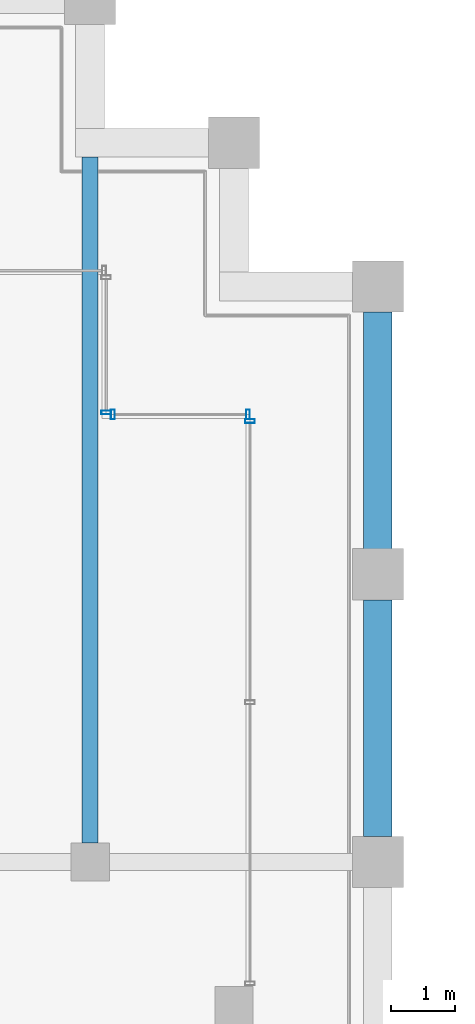
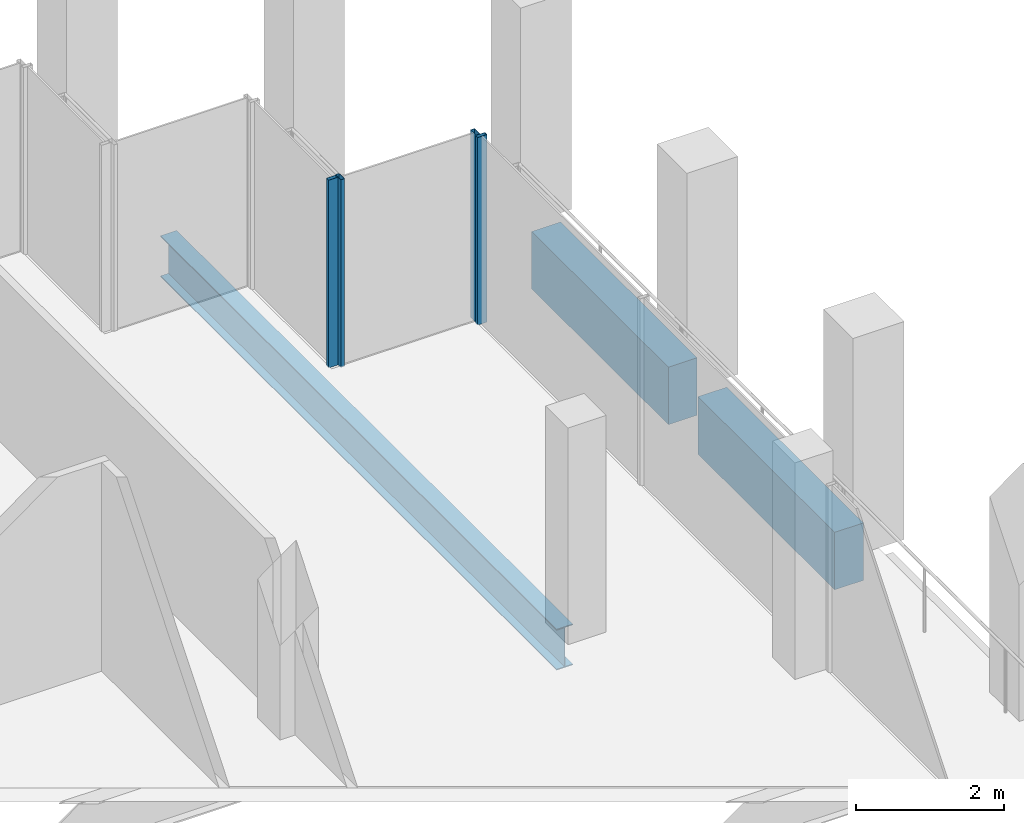
# One storey, part 25 of 40: 4 members, 3 beams, 3 elements without a shape of their own.
"""IFC4 building model written with IfcOpenShell, lengths in metres."""

from ifc_helpers import new_model, si_unit, direction, frame, origin, origin_2d, place, context, subcontext, project, spatial, rectangle, hollow_rectangle, i_section, extrude, material, material_profile, profile_set, type_object, element, aggregate, save


model = new_model("IFC4")

# Units and contexts
model_context = context("Model", 3, precision=1e-05, world=origin(), true_north=direction((0.0, 1.0)))
body_context = subcontext(model_context, "Body", "Model", "MODEL_VIEW")
ifc_project = project(units=[si_unit("LENGTHUNIT", "METRE"), si_unit("AREAUNIT", "SQUARE_METRE"), si_unit("VOLUMEUNIT", "CUBIC_METRE"), si_unit("PLANEANGLEUNIT", "RADIAN"), si_unit("MASSUNIT", "GRAM", prefix="KILO")], contexts=[model_context])

# Site, building, storey
site_placement = place(None, origin())
site = spatial("IfcSite", under=ifc_project, at=site_placement, CompositionType="ELEMENT")
building_placement = place(site_placement, origin())
building = spatial("IfcBuilding", under=site, at=building_placement, Name="Altepetl Exchange Towers", CompositionType="ELEMENT")
storey_placement = place(building_placement, frame((0.0, 0.0, 199.199951171875)))
storey = spatial("IfcBuildingStorey", under=building, at=storey_placement, Name="L50", CompositionType="ELEMENT", Elevation=199.199951171875)

# Beam
ifc_material_1 = material(Name="Steel S355", Category="steel")
ifc_material_profile_1 = material_profile(ifc_material_1, i_section(OverallWidth=0.2529296875, OverallDepth=0.677978515625, WebThickness=0.01171875, FlangeThickness=0.016357421875, at=origin_2d()), Name="W27X84")
ifc_profile_set_1 = profile_set([ifc_material_profile_1], Name="Steel S355")
beam_type_1 = type_object("IfcBeamType", Name="Floor beam W27X84", PredefinedType="BEAM", material=ifc_profile_set_1)
beam_placement = place(storey_placement, frame((67.5, 58.800048828125, -0.489013671875), z_axis=(0.0, 1.0, 0.0), x_axis=(-1.0, 0.0, 0.0)))
element("IfcBeam", 1, at=beam_placement, inside=storey, type_object=beam_type_1, Name="bm:A:L50:005", PredefinedType="BEAM", context=body_context, shape_type="SweptSolid", body=[
    extrude(i_section(OverallWidth=0.2529296875, OverallDepth=0.677978515625, WebThickness=0.01171875, FlangeThickness=0.016357421875, at=origin_2d()), origin(), (0.0, 0.0, 1.0), 10.724853515625),
])

# Curtain wall, member
ifc_material_2 = material(Name="Aluminium 6063-T6 glazing", Category="aluminium")
curtain_wall_type = type_object("IfcCurtainWallType", Name="Loggia glazing system", PredefinedType="NOTDEFINED", material=ifc_material_2)
curtain_wall_1_placement = place(storey_placement, origin())
curtain_wall_1 = element("IfcCurtainWall", 2, at=curtain_wall_1_placement, inside=storey, type_object=curtain_wall_type, Name="CW1 run", PredefinedType="NOTDEFINED")
ifc_material_3 = material(Name="Aluminium 6063-T6", Category="aluminium")
ifc_material_profile_2 = material_profile(ifc_material_3, hollow_rectangle(XDim=0.06005859375, YDim=0.14990234375, WallThickness=0.0029296875, at=origin_2d()), Name="Mullion 60x150 aluminium")
ifc_profile_set_2 = profile_set([ifc_material_profile_2], Name="Aluminium 6063-T6")
member_type = type_object("IfcMemberType", Name="Mullion 60x150 aluminium", PredefinedType="MULLION", material=ifc_profile_set_2)
member_1_placement = place(storey_placement, frame((70.0, 65.39501953125, 0.0), z_axis=(0.0, 0.0, 1.0), x_axis=(0.0, 1.0, 0.0)))
member_1 = element("IfcMember", 3, at=member_1_placement, type_object=member_type, Name="MU1 mullion", PredefinedType="MULLION", context=body_context, shape_type="SweptSolid", body=[
    extrude(hollow_rectangle(XDim=0.06005859375, YDim=0.14990234375, WallThickness=0.0029296875, at=origin_2d()), origin(), (0.0, 0.0, 1.0), 3.10009765625),
])
aggregate(curtain_wall_1, [member_1])

# Curtain wall, members
curtain_wall_2_placement = place(storey_placement, origin())
curtain_wall_2 = element("IfcCurtainWall", 4, at=curtain_wall_2_placement, inside=storey, type_object=curtain_wall_type, Name="CW1 run", PredefinedType="NOTDEFINED")
member_2_placement = place(storey_placement, frame((69.969970703125, 65.5, 0.0), z_axis=(0.0, 0.0, 1.0), x_axis=(-1.0, 0.0, 0.0)))
member_2 = element("IfcMember", 5, at=member_2_placement, type_object=member_type, Name="MU1 mullion", PredefinedType="MULLION", context=body_context, shape_type="SweptSolid", body=[
    extrude(hollow_rectangle(XDim=0.06005859375, YDim=0.14990234375, WallThickness=0.0029296875, at=origin_2d()), origin(), (0.0, 0.0, 1.0), 3.10009765625),
])
member_3_placement = place(storey_placement, frame((67.85498046875, 65.5, 0.0), z_axis=(0.0, 0.0, 1.0), x_axis=(-1.0, 0.0, 0.0)))
member_3 = element("IfcMember", 6, at=member_3_placement, type_object=member_type, Name="MU1 mullion", PredefinedType="MULLION", context=body_context, shape_type="SweptSolid", body=[
    extrude(hollow_rectangle(XDim=0.06005859375, YDim=0.14990234375, WallThickness=0.0029296875, at=origin_2d()), origin(), (0.0, 0.0, 1.0), 3.10009765625),
])
aggregate(curtain_wall_2, [member_2, member_3])

# Curtain wall, member
curtain_wall_3_placement = place(storey_placement, origin())
curtain_wall_3 = element("IfcCurtainWall", 7, at=curtain_wall_3_placement, inside=storey, type_object=curtain_wall_type, Name="CW1 run", PredefinedType="NOTDEFINED")
member_4_placement = place(storey_placement, frame((67.75, 65.530029296875, 0.0), z_axis=(0.0, 0.0, 1.0), x_axis=(0.0, 1.0, 0.0)))
member_4 = element("IfcMember", 8, at=member_4_placement, type_object=member_type, Name="MU1 mullion", PredefinedType="MULLION", context=body_context, shape_type="SweptSolid", body=[
    extrude(hollow_rectangle(XDim=0.06005859375, YDim=0.14990234375, WallThickness=0.0029296875, at=origin_2d()), origin(), (0.0, 0.0, 1.0), 3.10009765625),
])
aggregate(curtain_wall_3, [member_4])

# Beams
ifc_material_4 = material(Name="Concrete C50/60 precast with cantera rosa facing", Category="concrete")
ifc_material_profile_3 = material_profile(ifc_material_4, rectangle(XDim=0.449951171875, YDim=0.949951171875, at=origin_2d()), Name="450 x 950")
ifc_profile_set_3 = profile_set([ifc_material_profile_3], Name="Concrete C50/60 precast with cantera rosa facing")
beam_type_2 = type_object("IfcBeamType", Name="Spandrel beam 450x950 cantera rosa", PredefinedType="SPANDREL", material=ifc_profile_set_3)
for number, where, z_axis, x_axis, name in (
    (9, (72.0, 58.89990234375, -0.625), (0.0, 1.0, 0.0), (-1.0, 0.0, 0.0), "sp:A:L50:018"),
    (10, (72.0, 63.39990234375, -0.625), (0.0, 1.0, 0.0), (-1.0, 0.0, 0.0), "sp:A:L50:019"),
):
    element("IfcBeam", number, at=place(storey_placement, frame(where, z_axis=z_axis, x_axis=x_axis)), inside=storey, type_object=beam_type_2, Name=name, PredefinedType="SPANDREL", context=body_context, shape_type="SweptSolid", body=[
        extrude(rectangle(XDim=0.449951171875, YDim=0.949951171875, at=origin_2d()), origin(), (0.0, 0.0, 1.0), 3.7001953125),
    ])

save(model, "model.ifc")
